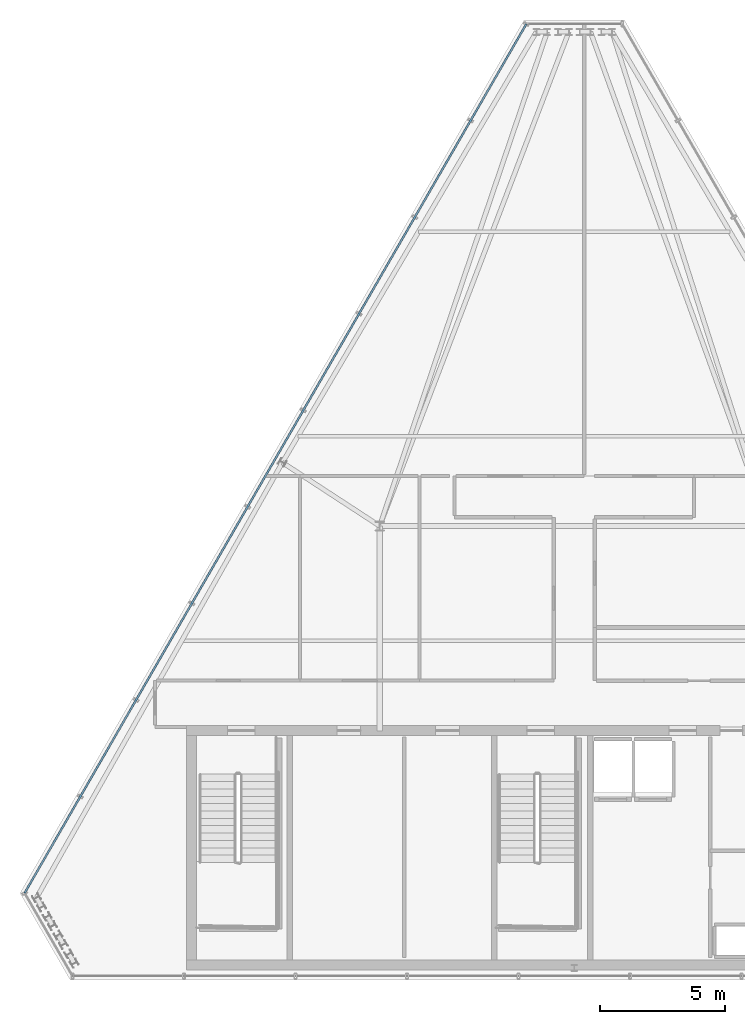
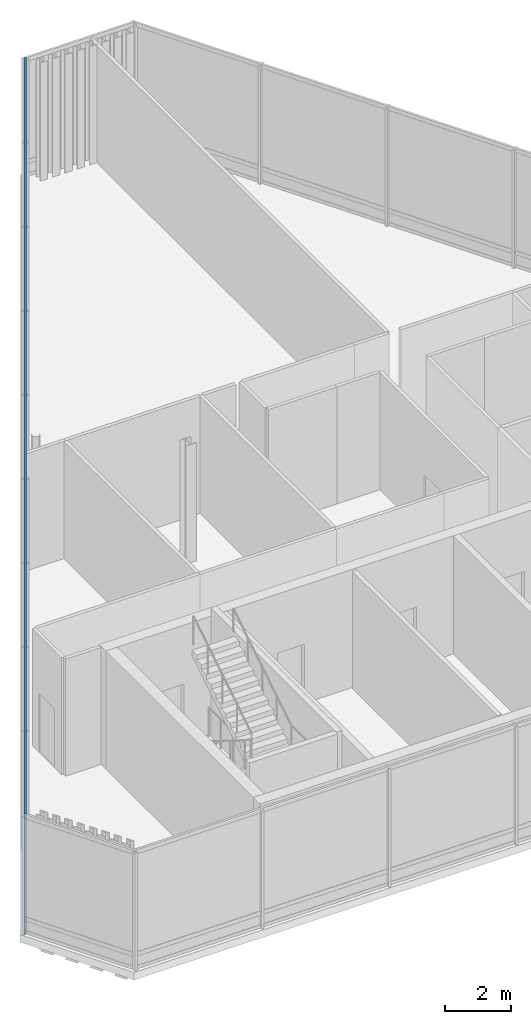
# One storey, part 10 of 25: 3 members, 1 element without a shape of its own.
"""IFC4 building model written with IfcOpenShell, lengths in metres."""

from ifc_helpers import new_model, si_unit, direction, frame, origin, origin_2d, place, context, subcontext, project, spatial, hollow_rectangle, extrude, material, layer, layer_set, material_profile, profile_set, type_object, element, aggregate, save


model = new_model("IFC4")

# Units and contexts
model_context = context("Model", 3, precision=1e-05, world=origin(), true_north=direction((0.0, 1.0)))
body_context = subcontext(model_context, "Body", "Model", "MODEL_VIEW")
ifc_project = project(units=[si_unit("LENGTHUNIT", "METRE"), si_unit("AREAUNIT", "SQUARE_METRE"), si_unit("VOLUMEUNIT", "CUBIC_METRE"), si_unit("PLANEANGLEUNIT", "RADIAN"), si_unit("MASSUNIT", "GRAM", prefix="KILO")], contexts=[model_context])

# Site, building, storey
site_placement = place(None, origin())
site = spatial("IfcSite", under=ifc_project, at=site_placement, CompositionType="ELEMENT")
building_placement = place(site_placement, origin())
building = spatial("IfcBuilding", under=site, at=building_placement, Name="Ndaravel Arena Tower", CompositionType="ELEMENT")
storey_placement = place(building_placement, frame((0.0, 0.0, 303.300048828125)))
storey = spatial("IfcBuildingStorey", under=building, at=storey_placement, Name="L74", CompositionType="ELEMENT", Elevation=303.300048828125)

# Curtain wall, members
ifc_material_1 = material(Name="Aluminium", Category="aluminium")
ifc_layer = layer(ifc_material_1, 0.179931640625)
ifc_layer_set = layer_set([ifc_layer], Name="Aluminium")
curtain_wall_type = type_object("IfcCurtainWallType", Name="CW-SYS-04", PredefinedType="NOTDEFINED", material=ifc_layer_set)
curtain_wall_placement = place(storey_placement, origin())
curtain_wall = element("IfcCurtainWall", 1, at=curtain_wall_placement, inside=storey, type_object=curtain_wall_type, Name="L74 Faceted Crystal Curtain Wall CW-L74-E05", PredefinedType="NOTDEFINED")
ifc_material_2 = material(Name="Aluminium", Category="aluminium")
ifc_material_profile = material_profile(ifc_material_2, hollow_rectangle(XDim=0.074951171875, YDim=0.14990234375, WallThickness=0.00390625, at=origin_2d()), Name="CW TRANSOM 75x150x4")
ifc_profile_set = profile_set([ifc_material_profile], Name="Aluminium")
member_type = type_object("IfcMemberType", Name="MEM-CW-TRN150", PredefinedType="USERDEFINED", material=ifc_profile_set)
member_1_placement = place(storey_placement, frame((40.080078125, 43.325439453125, 0.0400390625), z_axis=(-0.499998418301, -0.866026316977, 0.0), x_axis=(0.866026316977, -0.499998418301, 0.0)))
member_1 = element("IfcMember", 2, at=member_1_placement, type_object=member_type, Name="CW-L74-E05 Transom 01", ObjectType="TRANSOM", PredefinedType="USERDEFINED", context=body_context, shape_type="SweptSolid", body=[
    extrude(hollow_rectangle(XDim=0.074951171875, YDim=0.14990234375, WallThickness=0.00390625, at=origin_2d()), origin(), (0.0, 0.0, 1.0), 40.230224609375),
])
member_2_placement = place(storey_placement, frame((40.080078125, 43.325439453125, 0.550048828125), z_axis=(-0.499998418301, -0.866026316977, 0.0), x_axis=(0.866026316977, -0.499998418301, 0.0)))
member_2 = element("IfcMember", 3, at=member_2_placement, type_object=member_type, Name="CW-L74-E05 Transom 02", ObjectType="TRANSOM", PredefinedType="USERDEFINED", context=body_context, shape_type="SweptSolid", body=[
    extrude(hollow_rectangle(XDim=0.074951171875, YDim=0.14990234375, WallThickness=0.00390625, at=origin_2d()), origin(), (0.0, 0.0, 1.0), 40.230224609375),
])
member_3_placement = place(storey_placement, frame((40.080078125, 43.325439453125, 4.35986328125), z_axis=(-0.499998418301, -0.866026316977, 0.0), x_axis=(0.866026316977, -0.499998418301, 0.0)))
member_3 = element("IfcMember", 4, at=member_3_placement, type_object=member_type, Name="CW-L74-E05 Transom 03", ObjectType="TRANSOM", PredefinedType="USERDEFINED", context=body_context, shape_type="SweptSolid", body=[
    extrude(hollow_rectangle(XDim=0.074951171875, YDim=0.14990234375, WallThickness=0.00390625, at=origin_2d()), origin(), (0.0, 0.0, 1.0), 40.230224609375),
])
aggregate(curtain_wall, [member_1, member_2, member_3])

save(model, "model.ifc")
